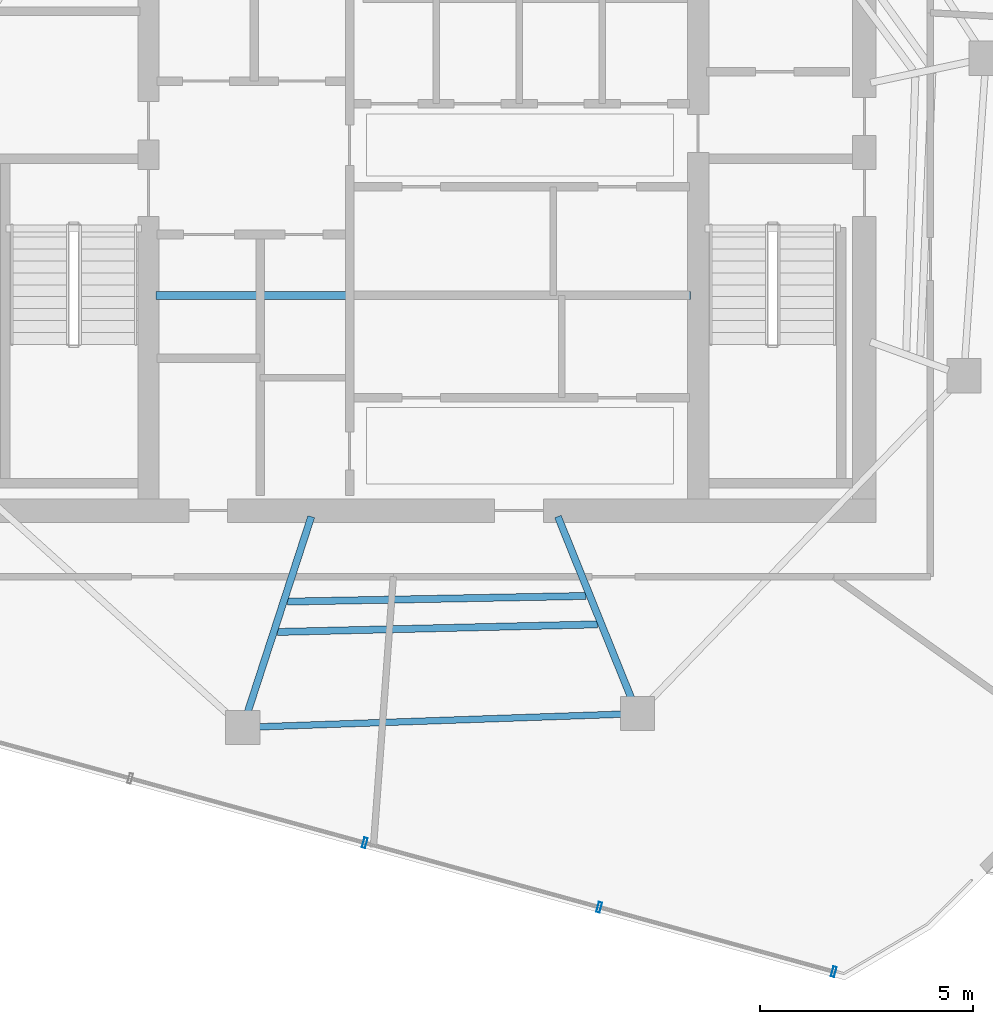
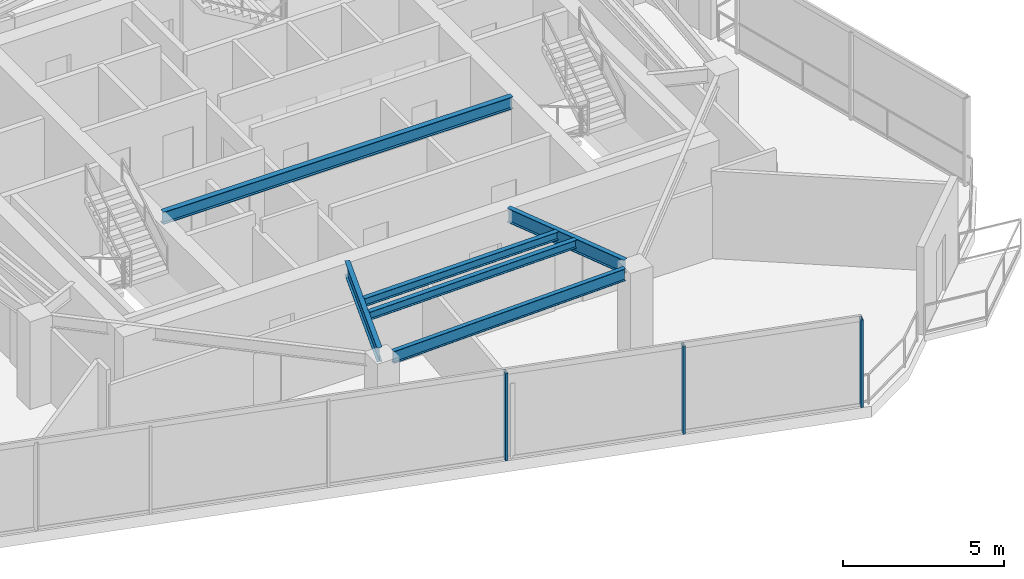
# One storey, part 4 of 19: 6 beams, 3 members, 1 element without a shape of its own.
"""IFC4 building model written with IfcOpenShell, lengths in metres."""

import ifcopenshell
import ifcopenshell.guid

model = None  # the IFC model being written
_history = None  # IfcOwnerHistory: only IFC2X3 demands one
_inside = {}  # id of a spatial element -> (the spatial element, [elements in it])
_under = {}  # id of a project, library or spatial element -> (it, [spatial elements below it])
_declared = {}  # id of a project -> (the project, [libraries it declares])
_typed = {}  # id of a type object -> (the type object, [elements of that type])
_made_of = {}  # id of a material, layer set ... -> (it, [elements and type objects made of it])


def new_model(schema):
    """Start an empty IFC model of exactly this schema.

    Asked for "IFC4X3", IfcOpenShell would pick the latest addendum, in which some entities
    have other attributes; the version numbers below select the first issue.
    IFC2X3 requires an IfcOwnerHistory on every rooted entity: one is made here for all.
    """
    global model, _history
    if schema == "IFC4X3":
        model = ifcopenshell.file(schema_version=(4, 3, 0, 0))
    else:
        model = ifcopenshell.file(schema=schema)
    _inside.clear()
    _under.clear()
    _declared.clear()
    _typed.clear()
    _made_of.clear()
    _history = None
    if model.schema == "IFC2X3":
        org = make("IfcOrganization", Name="unknown")
        user = make(
            "IfcPersonAndOrganization",
            ThePerson=make("IfcPerson", FamilyName="unknown"),
            TheOrganization=org,
        )
        app = make(
            "IfcApplication",
            ApplicationDeveloper=org,
            Version="unknown",
            ApplicationFullName="unknown",
            ApplicationIdentifier="unknown",
        )
        _history = make(
            "IfcOwnerHistory",
            OwningUser=user,
            OwningApplication=app,
            ChangeAction="ADDED",
            CreationDate=0,
        )
    return model


def make(cls, **values):
    """One entity of the class cls with the attributes given. An attribute that is None is left unset."""
    return model.create_entity(
        cls, **{name: value for name, value in values.items() if value is not None}
    )


def rooted(cls, **values):
    """An entity with a GlobalId (a new one), such as an element, a storey or a relation."""
    return make(cls, GlobalId=ifcopenshell.guid.new(), OwnerHistory=_history, **values)


def si_unit(unit_type, name, prefix=None):
    """IfcSIUnit, for example si_unit("LENGTHUNIT", "METRE", prefix="MILLI")."""
    return make("IfcSIUnit", UnitType=unit_type, Prefix=prefix, Name=name)


def assignment(units):
    """IfcUnitAssignment: the units of a project."""
    return None if units is None else make("IfcUnitAssignment", Units=units)


def point(xyz):
    """IfcCartesianPoint."""
    return None if xyz is None else make("IfcCartesianPoint", Coordinates=xyz)


def direction(xyz):
    """IfcDirection."""
    return None if xyz is None else make("IfcDirection", DirectionRatios=xyz)


def frame(location, z_axis=None, x_axis=None):
    """IfcAxis2Placement3D, a coordinate frame: its origin and axes. An axis left out is left unset."""
    return make(
        "IfcAxis2Placement3D",
        Location=point(location),
        Axis=direction(z_axis),
        RefDirection=direction(x_axis),
    )


def frame_2d(location, x_axis=None):
    """IfcAxis2Placement2D, a coordinate frame in the plane: its origin and x axis."""
    return make(
        "IfcAxis2Placement2D", Location=point(location), RefDirection=direction(x_axis)
    )


def origin():
    """The frame at (0, 0, 0) with its axes left unset."""
    return frame((0.0, 0.0, 0.0))


def origin_2d():
    """The frame at (0, 0) in the plane with its x axis left unset."""
    return frame_2d((0.0, 0.0))


def place(relative_to, where):
    """IfcLocalPlacement: puts the frame where relative to a parent placement (None: the world)."""
    return make(
        "IfcLocalPlacement", PlacementRelTo=relative_to, RelativePlacement=where
    )


def context(
    kind, dimensions, precision=None, world=None, true_north=None, identifier=None
):
    """IfcGeometricRepresentationContext, for example the 3D "Model" context."""
    return make(
        "IfcGeometricRepresentationContext",
        ContextIdentifier=identifier,
        ContextType=kind,
        CoordinateSpaceDimension=dimensions,
        Precision=precision,
        WorldCoordinateSystem=world,
        TrueNorth=true_north,
    )


def subcontext(parent, identifier, kind, view, scale=None):
    """IfcGeometricRepresentationSubContext, for example "Body" below "Model"."""
    return make(
        "IfcGeometricRepresentationSubContext",
        ContextIdentifier=identifier,
        ContextType=kind,
        ParentContext=parent,
        TargetScale=scale,
        TargetView=view,
    )


def project(units=None, contexts=None):
    """IfcProject with its units and contexts."""
    return rooted(
        "IfcProject",
        Name="project",
        RepresentationContexts=contexts,
        UnitsInContext=assignment(units),
    )


def spatial(cls, under=None, at=None, **own):
    """A site, building, storey or space (cls), placed at a placement, below another one or the project."""
    s = rooted(cls, ObjectPlacement=at, **own)
    if under is not None:
        _under.setdefault(under.id(), (under, []))[1].append(s)
    return s


def profile(cls, at=None, kind="AREA", **sizes):
    """A parametric profile (cls). Its sizes go by their IFC names, for example OverallWidth=200.0."""
    return make(cls, ProfileType=kind, Position=at, **sizes)


def hollow_rectangle(**sizes):
    """IfcRectangleHollowProfileDef."""
    return profile("IfcRectangleHollowProfileDef", **sizes)


def i_section(**sizes):
    """IfcIShapeProfileDef."""
    return profile("IfcIShapeProfileDef", **sizes)


def extrude(swept, where, along, depth):
    """IfcExtrudedAreaSolid: the profile swept, set in the frame where, extruded along a direction by depth."""
    return make(
        "IfcExtrudedAreaSolid",
        SweptArea=swept,
        Position=where,
        ExtrudedDirection=direction(along),
        Depth=depth,
    )


def shape(context_of_items, identifier, shape_type, items):
    """IfcShapeRepresentation: the items that make up one representation, for example the "Body"."""
    return make(
        "IfcShapeRepresentation",
        ContextOfItems=context_of_items,
        RepresentationIdentifier=identifier,
        RepresentationType=shape_type,
        Items=items,
    )


def material(Name=None, Category=None):
    """IfcMaterial."""
    return make("IfcMaterial", Name=Name, Category=Category)


def layer(
    of_material, thickness, ventilated=None, Name=None, Category=None, Priority=None
):
    """IfcMaterialLayer: one layer of a wall or slab, of a material (None: an air gap)."""
    return make(
        "IfcMaterialLayer",
        Material=of_material,
        LayerThickness=thickness,
        IsVentilated=ventilated,
        Name=Name,
        Category=Category,
        Priority=Priority,
    )


def layer_set(layers, Name=None):
    """IfcMaterialLayerSet."""
    return make("IfcMaterialLayerSet", MaterialLayers=layers, LayerSetName=Name)


def material_profile(
    of_material, cross_section, Name=None, Category=None, Priority=None
):
    """IfcMaterialProfile: a cross section and its material."""
    return make(
        "IfcMaterialProfile",
        Name=Name,
        Material=of_material,
        Profile=cross_section,
        Priority=Priority,
        Category=Category,
    )


def profile_set(profiles, Name=None, composite=None):
    """IfcMaterialProfileSet."""
    return make(
        "IfcMaterialProfileSet",
        Name=Name,
        MaterialProfiles=profiles,
        CompositeProfile=composite,
    )


def made_of(thing, what):
    """Note that an element or type object is made of a material, layer set ...; save() writes the relation."""
    if what is not None:
        _made_of.setdefault(what.id(), (what, []))[1].append(thing)
    return thing


def type_object(cls, material=None, **own):
    """A type object (cls), such as IfcWallType, which elements share."""
    return made_of(rooted(cls, **own), material)


def element(
    cls,
    number,
    at=None,
    inside=None,
    cuts=None,
    type_object=None,
    material=None,
    context=None,
    identifier="Body",
    shape_type=None,
    held_by="IfcProductDefinitionShape",
    body=None,
    shapes=None,
    **own,
):
    """One element of the class cls, such as IfcWall. Its Tag is "e" and its number.

    at: its placement. inside: the storey or other place that contains it. cuts: it is an
    opening in that element (IfcRelVoidsElement). A single representation is given by context,
    identifier, shape_type and body (its items); several are given by shapes. held_by: the class
    of the entity that holds the representations. save() writes the other relations.
    """
    e = rooted(cls, Tag="e%d" % number, ObjectPlacement=at, **own)
    if body is not None:
        shapes = [shape(context, identifier, shape_type, body)]
    if shapes is not None:
        e.Representation = make(held_by, Representations=shapes)
    if inside is not None:
        _inside.setdefault(inside.id(), (inside, []))[1].append(e)
    if cuts is not None:
        rooted(
            "IfcRelVoidsElement", RelatingBuildingElement=cuts, RelatedOpeningElement=e
        )
    if type_object is not None:
        _typed.setdefault(type_object.id(), (type_object, []))[1].append(e)
    return made_of(e, material)


def aggregate(whole, parts):
    """IfcRelAggregates: a whole, such as a stair, and the parts it consists of."""
    return rooted("IfcRelAggregates", RelatingObject=whole, RelatedObjects=parts)


def save(model, path):
    """Write the relations noted so far, then the file.

    IfcRelAggregates (storeys below a building ...), IfcRelContainedInSpatialStructure (elements
    in a storey), IfcRelDefinesByType, IfcRelAssociatesMaterial and IfcRelDeclares: one each for
    every whole, place, type object, material and project.
    """
    for whole, parts in _under.values():
        aggregate(whole, parts)
    for where, things in _inside.values():
        rooted(
            "IfcRelContainedInSpatialStructure",
            RelatedElements=things,
            RelatingStructure=where,
        )
    for kind, things in _typed.values():
        rooted("IfcRelDefinesByType", RelatedObjects=things, RelatingType=kind)
    for what, things in _made_of.values():
        rooted("IfcRelAssociatesMaterial", RelatedObjects=things, RelatingMaterial=what)
    for by, libraries in _declared.values():
        rooted("IfcRelDeclares", RelatingContext=by, RelatedDefinitions=libraries)
    model.write(path)


model = new_model("IFC4")

# Units and contexts
model_context = context("Model", 3, precision=1e-05, world=origin(), true_north=direction((0.0, 1.0)))
body_context = subcontext(model_context, "Body", "Model", "MODEL_VIEW")
ifc_project = project(units=[si_unit("LENGTHUNIT", "METRE"), si_unit("AREAUNIT", "SQUARE_METRE"), si_unit("VOLUMEUNIT", "CUBIC_METRE"), si_unit("PLANEANGLEUNIT", "RADIAN"), si_unit("MASSUNIT", "GRAM", prefix="KILO")], contexts=[model_context])

# Site, building, storey
site_placement = place(None, origin())
site = spatial("IfcSite", under=ifc_project, at=site_placement, CompositionType="ELEMENT")
building_placement = place(site_placement, origin())
building = spatial("IfcBuilding", under=site, at=building_placement, Name="Qarnah Convention Tower", CompositionType="ELEMENT")
storey_placement = place(building_placement, frame((0.0, 0.0, 235.5)))
storey = spatial("IfcBuildingStorey", under=building, at=storey_placement, Name="L63", CompositionType="ELEMENT", Elevation=235.5)

# Beams
ifc_material_1 = material(Name="Structural steel S355JR", Category="steel")
ifc_material_profile_1 = material_profile(ifc_material_1, i_section(OverallWidth=0.19189453125, OverallDepth=0.464111328125, WebThickness=0.010986328125, FlangeThickness=0.01806640625, at=origin_2d()), Name="W460X89")
ifc_profile_set_1 = profile_set([ifc_material_profile_1], Name="Structural steel S355JR")
beam_type_1 = type_object("IfcBeamType", Name="BM-CANT-W460A", PredefinedType="BEAM", material=ifc_profile_set_1)
beam_1_placement = place(storey_placement, frame((30.97998046875, 23.64990234375, 3.087890625), z_axis=(1.0, 0.0, 0.0), x_axis=(0.0, 1.0, 0.0)))
element("IfcBeam", 1, at=beam_1_placement, inside=storey, type_object=beam_type_1, Name="L63 beam BM-L63-KC1", PredefinedType="BEAM", context=body_context, shape_type="SweptSolid", body=[
    extrude(i_section(OverallWidth=0.19189453125, OverallDepth=0.464111328125, WebThickness=0.010986328125, FlangeThickness=0.01806640625, at=origin_2d()), origin(), (0.0, 0.0, 1.0), 12.5400390625),
])
ifc_material_profile_2 = material_profile(ifc_material_1, i_section(OverallWidth=0.166015625, OverallDepth=0.31201171875, WebThickness=0.007080078125, FlangeThickness=0.010986328125, at=origin_2d()), Name="W310X45")
ifc_profile_set_2 = profile_set([ifc_material_profile_2], Name="Structural steel S355JR")
beam_type_2 = type_object("IfcBeamType", Name="BM-JST-W310", PredefinedType="JOIST", material=ifc_profile_set_2)
beam_2_placement = place(storey_placement, frame((33.830078125, 15.7529296875, 3.1640625), z_axis=(0.999719227752, 0.023695266672, 0.0), x_axis=(-0.023695266672, 0.999719227752, 0.0)))
element("IfcBeam", 2, at=beam_2_placement, inside=storey, type_object=beam_type_2, Name="L63 joist BM-L63-SJST-07", PredefinedType="JOIST", context=body_context, shape_type="SweptSolid", body=[
    extrude(i_section(OverallWidth=0.166015625, OverallDepth=0.31201171875, WebThickness=0.007080078125, FlangeThickness=0.010986328125, at=origin_2d()), origin(), (0.0, 0.0, 1.0), 7.51123046875),
])
beam_3_placement = place(storey_placement, frame((34.06201171875, 16.465087890625, 3.1640625), z_axis=(0.999820470535, 0.01894799986, 0.0), x_axis=(-0.01894799986, 0.999820470535, 0.0)))
element("IfcBeam", 3, at=beam_3_placement, inside=storey, type_object=beam_type_2, Name="L63 joist BM-L63-IJST-07", PredefinedType="JOIST", context=body_context, shape_type="SweptSolid", body=[
    extrude(i_section(OverallWidth=0.166015625, OverallDepth=0.31201171875, WebThickness=0.007080078125, FlangeThickness=0.010986328125, at=origin_2d()), origin(), (0.0, 0.0, 1.0), 7.00927734375),
])
ifc_material_profile_3 = material_profile(ifc_material_1, i_section(OverallWidth=0.166015625, OverallDepth=0.535888671875, WebThickness=0.010009765625, FlangeThickness=0.01708984375, at=origin_2d()), Name="W530X85")
ifc_profile_set_3 = profile_set([ifc_material_profile_3], Name="Structural steel S355JR")
beam_type_3 = type_object("IfcBeamType", Name="BM-RAD-W530B", PredefinedType="BEAM", material=ifc_profile_set_3)
beam_4_placement = place(storey_placement, frame((34.6201171875, 18.45703125, 3.052001953125), z_axis=(-0.309228111383, -0.950987894313, 0.0), x_axis=(0.950987894313, -0.309228111383, 0.0)))
element("IfcBeam", 4, at=beam_4_placement, inside=storey, type_object=beam_type_3, Name="L63 beam BM-L63-RAD-07", PredefinedType="BEAM", context=body_context, shape_type="SweptSolid", body=[
    extrude(i_section(OverallWidth=0.166015625, OverallDepth=0.535888671875, WebThickness=0.010009765625, FlangeThickness=0.01708984375, at=origin_2d()), origin(), (0.0, 0.0, 1.0), 4.819091796875),
])
beam_5_placement = place(storey_placement, frame((40.407958984375, 18.4609375, 3.052001953125), z_axis=(0.374622495532, -0.927177429536, 0.0), x_axis=(0.927177429536, 0.374622495532, 0.0)))
element("IfcBeam", 5, at=beam_5_placement, inside=storey, type_object=beam_type_3, Name="L63 beam BM-L63-RAD-08", PredefinedType="BEAM", context=body_context, shape_type="SweptSolid", body=[
    extrude(i_section(OverallWidth=0.166015625, OverallDepth=0.535888671875, WebThickness=0.010009765625, FlangeThickness=0.01708984375, at=origin_2d()), origin(), (0.0, 0.0, 1.0), 4.607421875),
])
ifc_material_profile_4 = material_profile(ifc_material_1, i_section(OverallWidth=0.154052734375, OverallDepth=0.4599609375, WebThickness=0.009033203125, FlangeThickness=0.014892578125, at=origin_2d()), Name="W460X68")
ifc_profile_set_4 = profile_set([ifc_material_profile_4], Name="Structural steel S355JR")
beam_type_4 = type_object("IfcBeamType", Name="BM-SPN-W460B", PredefinedType="SPANDREL", material=ifc_profile_set_4)
beam_6_placement = place(storey_placement, frame((33.403076171875, 13.527099609375, 3.090087890625), z_axis=(0.999392187652, 0.034860511467, 0.0), x_axis=(-0.034860511467, 0.999392187652, 0.0)))
element("IfcBeam", 6, at=beam_6_placement, inside=storey, type_object=beam_type_4, Name="L63 spandrel BM-L63-SPN-07", PredefinedType="SPANDREL", context=body_context, shape_type="SweptSolid", body=[
    extrude(i_section(OverallWidth=0.154052734375, OverallDepth=0.4599609375, WebThickness=0.009033203125, FlangeThickness=0.014892578125, at=origin_2d()), origin(), (0.0, 0.0, 1.0), 8.488037109375),
])

# Curtain wall, members
ifc_material_2 = material(Name="Tempered Low-E dark glass", Category="glass")
ifc_layer = layer(ifc_material_2, 0.176025390625)
ifc_layer_set = layer_set([ifc_layer], Name="Tempered Low-E dark glass")
curtain_wall_type = type_object("IfcCurtainWallType", Name="CWS-05", PredefinedType="NOTDEFINED", material=ifc_layer_set)
curtain_wall_placement = place(storey_placement, origin())
curtain_wall = element("IfcCurtainWall", 7, at=curtain_wall_placement, inside=storey, type_object=curtain_wall_type, Name="L63 unitised curtain wall CW-L63-F1", PredefinedType="NOTDEFINED")
ifc_material_3 = material(Name="Black anodised aluminium", Category="aluminium")
ifc_material_profile_5 = material_profile(ifc_material_3, hollow_rectangle(XDim=0.080078125, YDim=0.239990234375, WallThickness=0.0048828125, at=origin_2d()), Name="MUL-80X240")
ifc_profile_set_5 = profile_set([ifc_material_profile_5], Name="Black anodised aluminium")
member_type = type_object("IfcMemberType", Name="MUL-T5", PredefinedType="MULLION", material=ifc_profile_set_5)
member_1_placement = place(storey_placement, frame((46.881103515625, 7.781005859375, 0.0), z_axis=(0.0, 0.0, 1.0), x_axis=(-0.964280174079, 0.264884400972, 0.0)))
member_1 = element("IfcMember", 8, at=member_1_placement, type_object=member_type, Name="CW-L63-F1 mullion 1", PredefinedType="MULLION", context=body_context, shape_type="SweptSolid", body=[
    extrude(hollow_rectangle(XDim=0.080078125, YDim=0.239990234375, WallThickness=0.0048828125, at=origin_2d()), origin(), (0.0, 0.0, 1.0), 3.320068359375),
])
member_2_placement = place(storey_placement, frame((41.378173828125, 9.29248046875, 0.0), z_axis=(0.0, 0.0, 1.0), x_axis=(-0.964280174079, 0.264884400972, 0.0)))
member_2 = element("IfcMember", 9, at=member_2_placement, type_object=member_type, Name="CW-L63-F1 mullion 2", PredefinedType="MULLION", context=body_context, shape_type="SweptSolid", body=[
    extrude(hollow_rectangle(XDim=0.080078125, YDim=0.239990234375, WallThickness=0.0048828125, at=origin_2d()), origin(), (0.0, 0.0, 1.0), 3.320068359375),
])
member_3_placement = place(storey_placement, frame((35.87548828125, 10.80419921875, 0.0), z_axis=(0.0, 0.0, 1.0), x_axis=(-0.964280174079, 0.264884400972, 0.0)))
member_3 = element("IfcMember", 10, at=member_3_placement, type_object=member_type, Name="CW-L63-F1 mullion 3", PredefinedType="MULLION", context=body_context, shape_type="SweptSolid", body=[
    extrude(hollow_rectangle(XDim=0.080078125, YDim=0.239990234375, WallThickness=0.0048828125, at=origin_2d()), origin(), (0.0, 0.0, 1.0), 3.320068359375),
])
aggregate(curtain_wall, [member_1, member_2, member_3])

save(model, "model.ifc")
